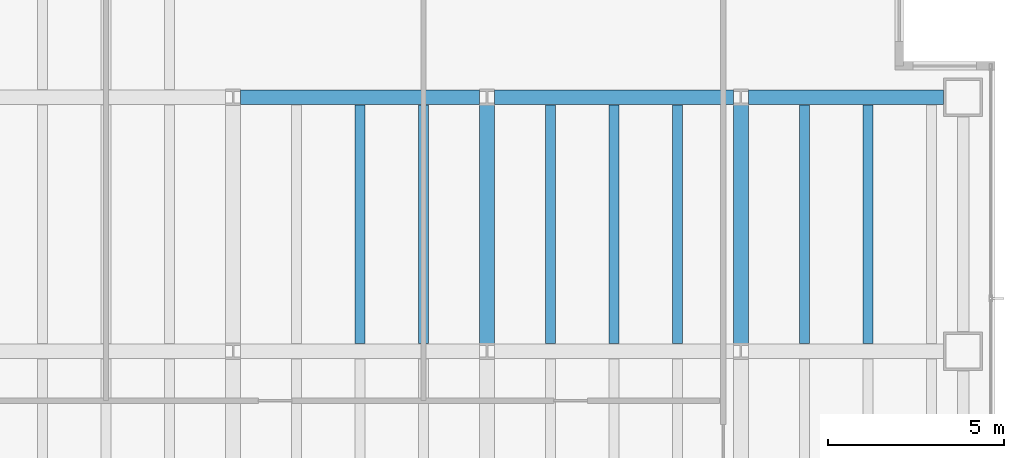
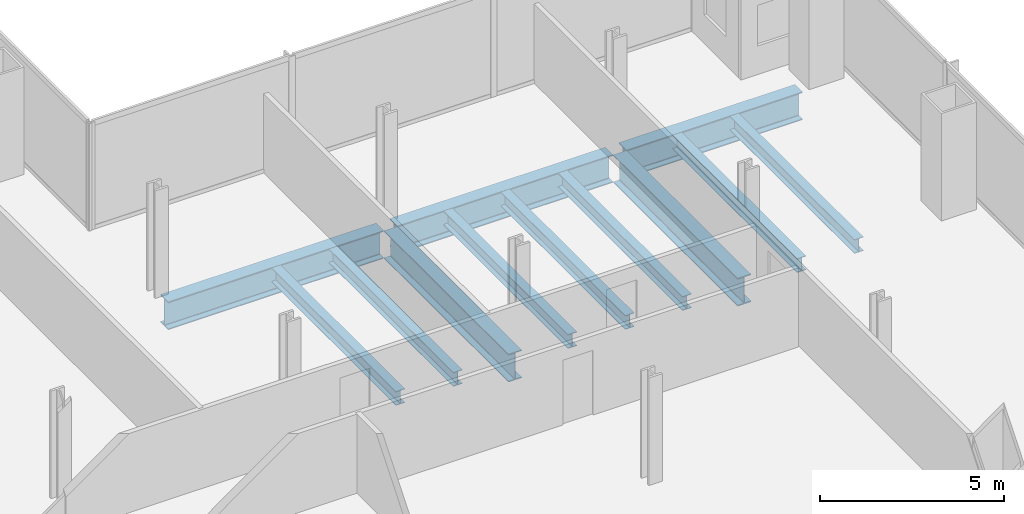
# One storey, part 11 of 25: 12 beams.
"""IFC4 building model written with IfcOpenShell, lengths in metres."""

from ifc_helpers import new_model, si_unit, direction, frame, origin, origin_2d, place, context, subcontext, project, spatial, i_section, extrude, material, material_profile, profile_set, type_object, element, save


model = new_model("IFC4")

# Units and contexts
model_context = context("Model", 3, precision=1e-05, world=origin(), true_north=direction((0.0, 1.0)))
body_context = subcontext(model_context, "Body", "Model", "MODEL_VIEW")
ifc_project = project(units=[si_unit("LENGTHUNIT", "METRE"), si_unit("AREAUNIT", "SQUARE_METRE"), si_unit("VOLUMEUNIT", "CUBIC_METRE"), si_unit("PLANEANGLEUNIT", "RADIAN"), si_unit("MASSUNIT", "GRAM", prefix="KILO")], contexts=[model_context])

# Site, building, storey
site_placement = place(None, origin())
site = spatial("IfcSite", under=ifc_project, at=site_placement, CompositionType="ELEMENT")
building_placement = place(site_placement, origin())
building = spatial("IfcBuilding", under=site, at=building_placement, Name="Cobrela Telecom Tower", CompositionType="ELEMENT")
storey_placement = place(building_placement, frame((0.0, 0.0, 35.0)))
storey = spatial("IfcBuildingStorey", under=building, at=storey_placement, Name="L08", CompositionType="ELEMENT", Elevation=35.0)

# Beams
ifc_material = material(Name="Steel ASTM A992 Grade 50", Category="steel")
ifc_material_profile_1 = material_profile(ifc_material, i_section(OverallWidth=0.4189453125, OverallDepth=0.927001953125, WebThickness=0.019287109375, FlangeThickness=0.031982421875, FilletRadius=0.02392578125, at=origin_2d()), Name="W36X231")
ifc_profile_set_1 = profile_set([ifc_material_profile_1], Name="Steel ASTM A992 Grade 50")
beam_type_1 = type_object("IfcBeamType", Name="BM-GIRD-02", PredefinedType="USERDEFINED", material=ifc_profile_set_1)
for number, where, z_axis, x_axis, name in (
    (1, (29.01611328125, 21.60009765625, -0.743408203125), (1.0, 0.0, 0.0), (0.0, 1.0, 0.0), "L08 Primary Girder X20"),
    (2, (36.216064453125, 21.60009765625, -0.743408203125), (1.0, 0.0, 0.0), (0.0, 1.0, 0.0), "L08 Primary Girder X21"),
):
    element("IfcBeam", number, at=place(storey_placement, frame(where, z_axis=z_axis, x_axis=x_axis)), inside=storey, type_object=beam_type_1, Name=name, ObjectType="GIRDER", PredefinedType="USERDEFINED", context=body_context, shape_type="SweptSolid", body=[
        extrude(i_section(OverallWidth=0.4189453125, OverallDepth=0.927001953125, WebThickness=0.019287109375, FlangeThickness=0.031982421875, FilletRadius=0.02392578125, at=origin_2d()), origin(), (0.0, 0.0, 1.0), 6.767822265625),
    ])
beam_placement = place(storey_placement, frame((43.416015625, 21.60009765625, -0.743408203125), z_axis=(1.0, 0.0, 0.0), x_axis=(0.0, 1.0, 0.0)))
element("IfcBeam", 3, at=beam_placement, inside=storey, type_object=beam_type_1, Name="L08 Primary Girder X22", ObjectType="GIRDER", PredefinedType="USERDEFINED", context=body_context, shape_type="SweptSolid", body=[
    extrude(i_section(OverallWidth=0.4189453125, OverallDepth=0.927001953125, WebThickness=0.019287109375, FlangeThickness=0.031982421875, FilletRadius=0.02392578125, at=origin_2d()), origin(), (0.0, 0.0, 1.0), 5.529052734375),
])
for number, where, z_axis, x_axis, name in (
    (4, (36.0, 14.615966796875, -0.743408203125), (0.0, 1.0, 0.0), (-1.0, 0.0, 0.0), "L08 Primary Girder Y52"),
    (5, (43.199951171875, 14.615966796875, -0.743408203125), (0.0, 1.0, 0.0), (-1.0, 0.0, 0.0), "L08 Primary Girder Y55"),
):
    element("IfcBeam", number, at=place(storey_placement, frame(where, z_axis=z_axis, x_axis=x_axis)), inside=storey, type_object=beam_type_1, Name=name, ObjectType="GIRDER", PredefinedType="USERDEFINED", context=body_context, shape_type="SweptSolid", body=[
        extrude(i_section(OverallWidth=0.4189453125, OverallDepth=0.927001953125, WebThickness=0.019287109375, FlangeThickness=0.031982421875, FilletRadius=0.02392578125, at=origin_2d()), origin(), (0.0, 0.0, 1.0), 6.76806640625),
    ])
ifc_material_profile_2 = material_profile(ifc_material, i_section(OverallWidth=0.281982421875, OverallDepth=0.467041015625, WebThickness=0.01220703125, FlangeThickness=0.01953125, FilletRadius=0.012939453125, at=origin_2d()), Name="W18X86")
ifc_profile_set_2 = profile_set([ifc_material_profile_2], Name="Steel ASTM A992 Grade 50")
beam_type_2 = type_object("IfcBeamType", Name="BM-JOIST-02", PredefinedType="JOIST", material=ifc_profile_set_2)
for number, where, z_axis, x_axis, name in (
    (6, (32.39990234375, 14.614501953125, -0.513427734375), (0.0, 1.0, 0.0), (-1.0, 0.0, 0.0), "L08 Secondary Composite Floor Beam J46"),
    (7, (34.199951171875, 14.614501953125, -0.513427734375), (0.0, 1.0, 0.0), (-1.0, 0.0, 0.0), "L08 Secondary Composite Floor Beam J49"),
    (8, (37.800048828125, 14.614501953125, -0.513427734375), (0.0, 1.0, 0.0), (-1.0, 0.0, 0.0), "L08 Secondary Composite Floor Beam J52"),
    (9, (39.60009765625, 14.614501953125, -0.513427734375), (0.0, 1.0, 0.0), (-1.0, 0.0, 0.0), "L08 Secondary Composite Floor Beam J55"),
    (10, (41.39990234375, 14.614501953125, -0.513427734375), (0.0, 1.0, 0.0), (-1.0, 0.0, 0.0), "L08 Secondary Composite Floor Beam J58"),
    (11, (45.0, 14.614501953125, -0.513427734375), (0.0, 1.0, 0.0), (-1.0, 0.0, 0.0), "L08 Secondary Composite Floor Beam J60"),
    (12, (46.800048828125, 14.614501953125, -0.513427734375), (0.0, 1.0, 0.0), (-1.0, 0.0, 0.0), "L08 Secondary Composite Floor Beam J62"),
):
    element("IfcBeam", number, at=place(storey_placement, frame(where, z_axis=z_axis, x_axis=x_axis)), inside=storey, type_object=beam_type_2, Name=name, PredefinedType="JOIST", context=body_context, shape_type="SweptSolid", body=[
        extrude(i_section(OverallWidth=0.281982421875, OverallDepth=0.467041015625, WebThickness=0.01220703125, FlangeThickness=0.01953125, FilletRadius=0.012939453125, at=origin_2d()), origin(), (0.0, 0.0, 1.0), 6.77099609375),
    ])

save(model, "model.ifc")
